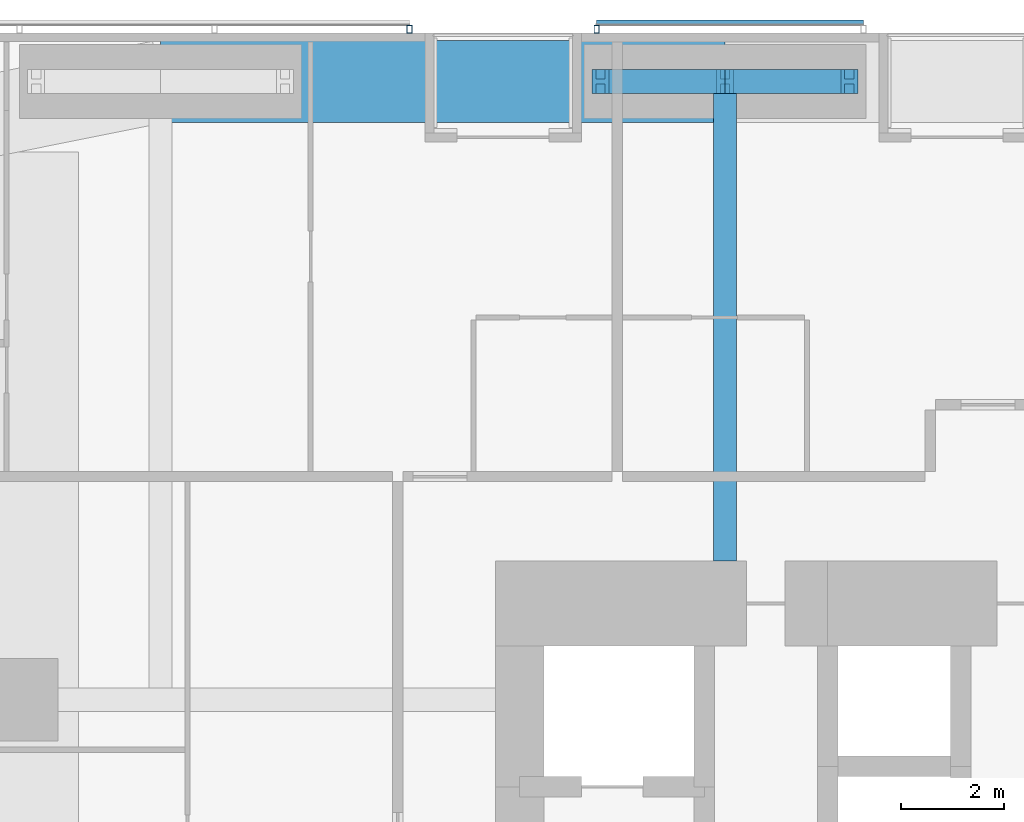
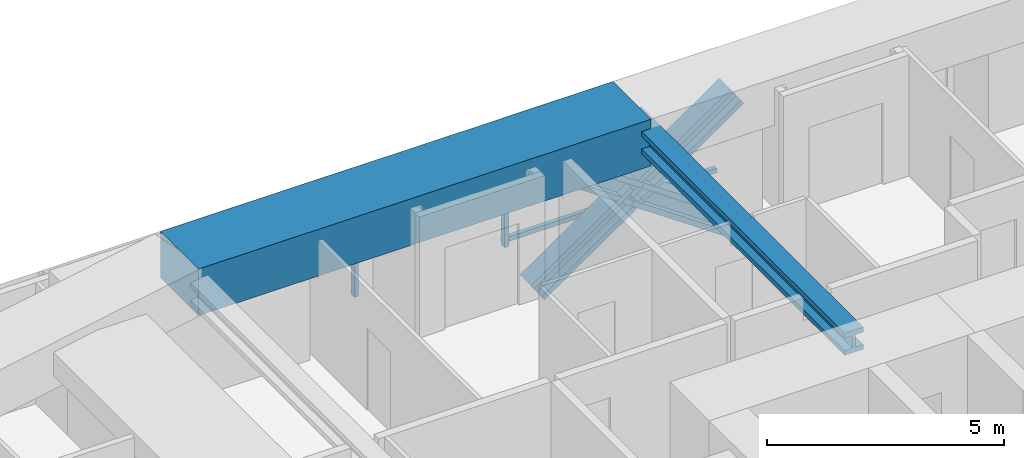
# One storey, part 13 of 24: 7 members, 2 beams, 2 elements without a shape of their own.
"""IFC4 building model written with IfcOpenShell, lengths in metres."""

from ifc_helpers import new_model, si_unit, direction, frame, origin, origin_2d, place, context, subcontext, project, spatial, rectangle, hollow_rectangle, i_section, extrude, material, material_profile, profile_set, type_object, element, aggregate, save


model = new_model("IFC4")

# Units and contexts
model_context = context("Model", 3, precision=1e-05, world=origin(), true_north=direction((0.0, 1.0)))
body_context = subcontext(model_context, "Body", "Model", "MODEL_VIEW")
ifc_project = project(units=[si_unit("LENGTHUNIT", "METRE"), si_unit("AREAUNIT", "SQUARE_METRE"), si_unit("VOLUMEUNIT", "CUBIC_METRE"), si_unit("PLANEANGLEUNIT", "RADIAN"), si_unit("MASSUNIT", "GRAM", prefix="KILO")], contexts=[model_context])

# Site, building, storey
site_placement = place(None, origin())
site = spatial("IfcSite", under=ifc_project, at=site_placement, CompositionType="ELEMENT")
building_placement = place(site_placement, origin())
building = spatial("IfcBuilding", under=site, at=building_placement, Name="Jalousie Tower", CompositionType="ELEMENT")
storey_placement = place(building_placement, frame((0.0, 0.0, 47.800048828125)))
storey = spatial("IfcBuildingStorey", under=building, at=storey_placement, Name="L12", CompositionType="ELEMENT", Elevation=47.800048828125)

# Beam
ifc_material_1 = material(Name="Steel ASTM A992 Grade 50", Category="steel")
ifc_material_profile_1 = material_profile(ifc_material_1, i_section(OverallWidth=0.45458984375, OverallDepth=0.569091796875, WebThickness=0.077880859375, FlangeThickness=0.124755859375, at=origin_2d()), Name="W14X730")
ifc_profile_set_1 = profile_set([ifc_material_profile_1], Name="Steel ASTM A992 Grade 50")
beam_type_1 = type_object("IfcBeamType", Name="LEAN COLLECTOR W14X730", PredefinedType="BEAM", material=ifc_profile_set_1)
beam_1_placement = place(storey_placement, frame((24.0, 37.050048828125, 2.825439453125), z_axis=(0.0, -1.0, 0.0), x_axis=(1.0, 0.0, 0.0)))
element("IfcBeam", 1, at=beam_1_placement, inside=storey, type_object=beam_type_1, Name="Lean collector under L13", PredefinedType="BEAM", context=body_context, shape_type="SweptSolid", body=[
    extrude(i_section(OverallWidth=0.45458984375, OverallDepth=0.569091796875, WebThickness=0.077880859375, FlangeThickness=0.124755859375, at=origin_2d()), origin(), (0.0, 0.0, 1.0), 9.35009765625),
])

# Members
ifc_material_2 = material(Name="Steel ASTM A992 Grade 50", Category="steel")
ifc_material_profile_2 = material_profile(ifc_material_2, i_section(OverallWidth=0.472412109375, OverallDepth=0.5791015625, WebThickness=0.094970703125, FlangeThickness=0.1298828125, at=origin_2d()), Name="W14X808")
ifc_profile_set_2 = profile_set([ifc_material_profile_2], Name="Steel ASTM A992 Grade 50")
member_type_1 = type_object("IfcMemberType", Name="PERIMETER BRACE W14X808", PredefinedType="BRACE", material=ifc_profile_set_2)
for number, where, z_axis, x_axis, name in (
    (2, (21.574951171875, 37.050048828125, -0.60009765625), (0.822800062329, 0.0, 0.568330940062), (0.0, 1.0, 0.0), "Perimeter brace 10 L12 part 1"),
    (3, (24.0, 37.050048828125, 1.074951171875), (0.822800062329, 0.0, 0.568330940062), (0.0, 1.0, 0.0), "Perimeter brace 10 L12 part 2"),
    (4, (26.425048828125, 37.050048828125, -0.60009765625), (-0.822800062329, 0.0, 0.568330940062), (0.0, -1.0, 0.0), "Perimeter brace 10 L12 part 3"),
    (5, (24.0, 37.050048828125, 1.074951171875), (-0.822800062329, 0.0, 0.568330940062), (0.0, -1.0, 0.0), "Perimeter brace 10 L12 part 4"),
):
    element("IfcMember", number, at=place(storey_placement, frame(where, z_axis=z_axis, x_axis=x_axis)), inside=storey, type_object=member_type_1, Name=name, PredefinedType="BRACE", context=body_context, shape_type="SweptSolid", body=[
        extrude(i_section(OverallWidth=0.472412109375, OverallDepth=0.5791015625, WebThickness=0.094970703125, FlangeThickness=0.1298828125, at=origin_2d()), origin(), (0.0, 0.0, 1.0), 2.947265625),
    ])

# Beam
ifc_material_3 = material(Name="Concrete f'c 40 MPa", Category="concrete")
ifc_material_profile_3 = material_profile(ifc_material_3, rectangle(XDim=1.60009765625, YDim=1.199951171875, at=origin_2d()), Name="RC 1600x1200")
ifc_profile_set_3 = profile_set([ifc_material_profile_3], Name="Concrete f'c 40 MPa")
beam_type_2 = type_object("IfcBeamType", Name="RC BEAM 1600x1200", PredefinedType="BEAM", material=ifc_profile_set_3)
beam_2_placement = place(storey_placement, frame((24.0, 37.050048828125, 2.75), z_axis=(-1.0, 0.0, 0.0), x_axis=(0.0, -1.0, 0.0)))
element("IfcBeam", 6, at=beam_2_placement, inside=storey, type_object=beam_type_2, Name="Edge band beam 10-11 under L13", PredefinedType="BEAM", context=body_context, shape_type="SweptSolid", body=[
    extrude(rectangle(XDim=1.60009765625, YDim=1.199951171875, at=origin_2d()), origin(), (0.0, 0.0, 1.0), 11.0),
])

# Curtain wall, member
ifc_material_4 = material(Name="Perforated aluminium sheet", Category="aluminium")
curtain_wall_type = type_object("IfcCurtainWallType", Name="SOLAR SCREEN SS-1", PredefinedType="USERDEFINED", material=ifc_material_4)
curtain_wall_1_placement = place(storey_placement, origin())
curtain_wall_1 = element("IfcCurtainWall", 7, at=curtain_wall_1_placement, inside=storey, type_object=curtain_wall_type, Name="Solar screen L12", ObjectType="SOLAR SCREEN SS-1", PredefinedType="USERDEFINED")
ifc_material_5 = material(Name="Steel ASTM A500 Grade C", Category="steel")
ifc_material_profile_4 = material_profile(ifc_material_5, hollow_rectangle(XDim=0.1015625, YDim=0.15234375, WallThickness=0.00634765625, at=origin_2d()), Name="HSS6X4X1/4")
ifc_profile_set_4 = profile_set([ifc_material_profile_4], Name="Steel ASTM A500 Grade C")
member_type_2 = type_object("IfcMemberType", Name="SOLAR SCREEN SS-1 MULLION", PredefinedType="MULLION", material=ifc_profile_set_4)
member_1_placement = place(storey_placement, frame((21.5, 38.0712890625, -0.1201171875), z_axis=(0.0, 0.0, 1.0), x_axis=(-1.0, 0.0, 0.0)))
member_1 = element("IfcMember", 8, at=member_1_placement, type_object=member_type_2, Name="SS1 post 2", PredefinedType="MULLION", context=body_context, shape_type="SweptSolid", body=[
    extrude(hollow_rectangle(XDim=0.1015625, YDim=0.15234375, WallThickness=0.00634765625, at=origin_2d()), origin(), (0.0, 0.0, 1.0), 3.22998046875),
])

curtain_wall_2_placement = place(storey_placement, origin())
curtain_wall_2 = element("IfcCurtainWall", 9, at=curtain_wall_2_placement, inside=storey, type_object=curtain_wall_type, Name="Solar screen L12", ObjectType="SOLAR SCREEN SS-1", PredefinedType="USERDEFINED")
member_2_placement = place(storey_placement, frame((17.85009765625, 38.0712890625, -0.1201171875), z_axis=(0.0, 0.0, 1.0), x_axis=(-1.0, 0.0, 0.0)))
member_2 = element("IfcMember", 10, at=member_2_placement, type_object=member_type_2, Name="SS1 post 1", PredefinedType="MULLION", context=body_context, shape_type="SweptSolid", body=[
    extrude(hollow_rectangle(XDim=0.1015625, YDim=0.15234375, WallThickness=0.00634765625, at=origin_2d()), origin(), (0.0, 0.0, 1.0), 3.22998046875),
])
aggregate(curtain_wall_2, [member_2])

# Member
ifc_material_6 = material(Name="Extruded aluminium screen rail", Category="aluminium")
ifc_material_profile_5 = material_profile(ifc_material_6, rectangle(XDim=0.1015625, YDim=0.1201171875, at=origin_2d()), Name="RAIL 102x120")
ifc_profile_set_5 = profile_set([ifc_material_profile_5], Name="Extruded aluminium screen rail")
member_type_3 = type_object("IfcMemberType", Name="SOLAR SCREEN SS-1 TRANSOM", PredefinedType="USERDEFINED", material=ifc_profile_set_5)
member_3_placement = place(storey_placement, frame((26.699951171875, 38.1982421875, -0.06005859375), z_axis=(-1.0, 0.0, 0.0), x_axis=(0.0, -1.0, 0.0)))
member_3 = element("IfcMember", 11, at=member_3_placement, type_object=member_type_3, Name="SS1 rail", ObjectType="TRANSOM", PredefinedType="USERDEFINED", context=body_context, shape_type="SweptSolid", body=[
    extrude(rectangle(XDim=0.1015625, YDim=0.1201171875, at=origin_2d()), origin(), (0.0, 0.0, 1.0), 5.199951171875),
])

aggregate(curtain_wall_1, [member_1, member_3])

save(model, "model.ifc")
